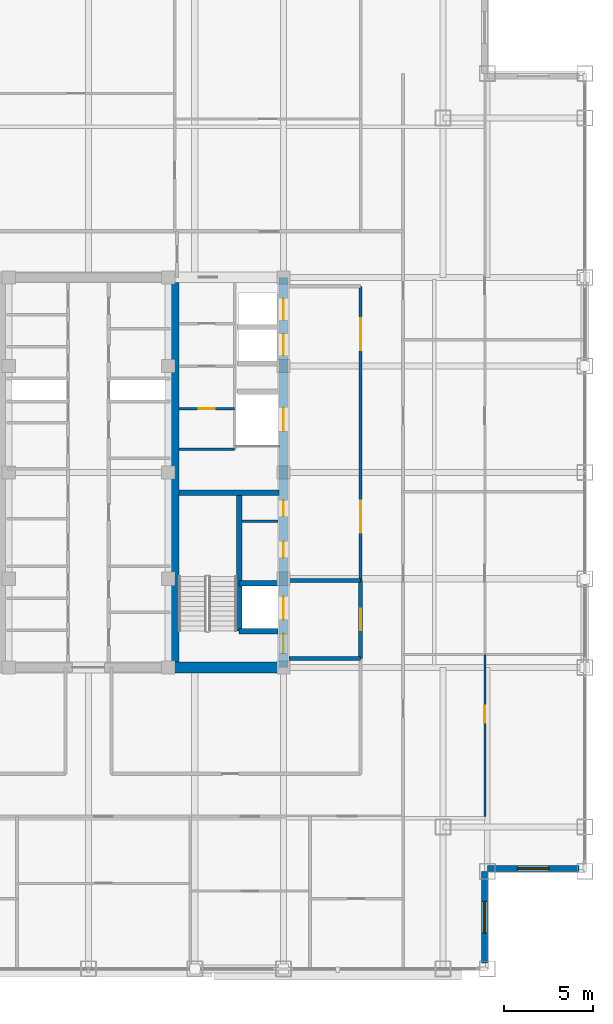
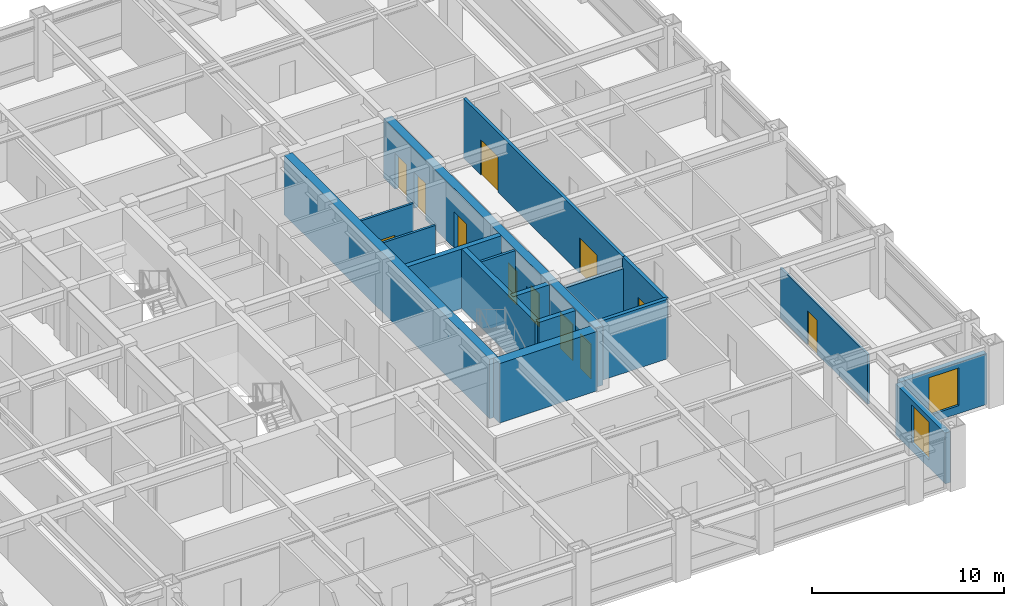
# One storey, part 20 of 27: 17 walls, 12 doors, 2 windows, 14 openings.
"""IFC4 building model written with IfcOpenShell, lengths in metres."""

from ifc_helpers import new_model, si_unit, direction, frame, frame_2d, origin, place, context, subcontext, project, spatial, rectangle, extrude, source, transform, mapped, material, layer, layer_set, type_object, element, fill, save


model = new_model("IFC4")

# Units and contexts
model_context = context("Model", 3, precision=1e-05, world=origin(), true_north=direction((0.0, 1.0)))
body_context = subcontext(model_context, "Body", "Model", "MODEL_VIEW")
ifc_project = project(units=[si_unit("LENGTHUNIT", "METRE"), si_unit("AREAUNIT", "SQUARE_METRE"), si_unit("VOLUMEUNIT", "CUBIC_METRE"), si_unit("PLANEANGLEUNIT", "RADIAN"), si_unit("MASSUNIT", "GRAM", prefix="KILO")], contexts=[model_context])

# Site, building, storey
site_placement = place(None, origin())
site = spatial("IfcSite", under=ifc_project, at=site_placement, CompositionType="ELEMENT")
building_placement = place(site_placement, origin())
building = spatial("IfcBuilding", under=site, at=building_placement, Name="Khorayat Bourse Tower", CompositionType="ELEMENT")
storey_placement = place(building_placement, frame((0.0, 0.0, 285.5)))
storey = spatial("IfcBuildingStorey", under=building, at=storey_placement, Name="L67", CompositionType="ELEMENT", Elevation=285.5)

# Wall, openings, doors
ifc_material_1 = material(Name="Concrete C52/65", Category="concrete")
ifc_layer_1 = layer(ifc_material_1, 0.5)
ifc_layer_set_1 = layer_set([ifc_layer_1], Name="Concrete C52/65")
wall_type_1 = type_object("IfcWallType", Name="WAL-CORE-500", PredefinedType="SHEAR", material=ifc_layer_set_1)
shared_shape_1 = source(origin(), body_context, "Body", "SweptSolid", [
    extrude(rectangle(XDim=22.0, YDim=0.5, at=frame_2d((11.0, 0.0))), origin(), (0.0, 0.0, 1.0), 3.780029296875),
])
wall_1_placement = place(storey_placement, frame((11.0, -11.0, 0.0), z_axis=(0.0, 0.0, 1.0), x_axis=(0.0, 1.0, 0.0)))
wall_1 = element("IfcWall", 1, at=wall_1_placement, inside=storey, type_object=wall_type_1, Name="L67 Core Shear Wall CORE-E", PredefinedType="SHEAR", context=body_context, shape_type="MappedRepresentation", body=[
    mapped(shared_shape_1, transform((0.0, 0.0, 0.0), scale=1.0)),
])
shared_shape_2 = source(origin(), body_context, "Body", "SweptSolid", [
    extrude(rectangle(XDim=1.10009765625, YDim=2.199951171875, at=frame_2d((0.550048828125, 1.10009765625))), frame((0.0, 0.260009765625, 0.0), z_axis=(0.0, -1.0, 0.0), x_axis=(1.0, 0.0, 0.0)), (0.0, 0.0, 1.0), 0.52001953125),
])
opening_1_placement = place(wall_1_placement, frame((0.800048828125, 0.0, 0.0)))
opening_1 = element("IfcOpeningElement", 2, at=opening_1_placement, cuts=wall_1, Name="Opening DI-01", PredefinedType="OPENING", context=body_context, shape_type="MappedRepresentation", body=[
    mapped(shared_shape_2, transform((0.0, 0.0, 0.0), scale=1.0)),
])
shared_shape_3 = source(origin(), body_context, "Body", "SweptSolid", [
    extrude(rectangle(XDim=0.89990234375, YDim=2.14990234375, at=frame_2d((0.449951171875, 1.074951171875))), frame((0.0, 0.260009765625, 0.0), z_axis=(0.0, -1.0, 0.0), x_axis=(1.0, 0.0, 0.0)), (0.0, 0.0, 1.0), 0.52001953125),
])
opening_2_placement = place(wall_1_placement, frame((6.199951171875, 0.0, 0.0)))
opening_2 = element("IfcOpeningElement", 3, at=opening_2_placement, cuts=wall_1, Name="Opening DI-06", PredefinedType="OPENING", context=body_context, shape_type="MappedRepresentation", body=[
    mapped(shared_shape_3, transform((0.0, 0.0, 0.0), scale=1.0)),
])
opening_3_placement = place(wall_1_placement, frame((8.52490234375, 0.0, 0.0)))
opening_3 = element("IfcOpeningElement", 4, at=opening_3_placement, cuts=wall_1, Name="Opening DI-06", PredefinedType="OPENING", context=body_context, shape_type="MappedRepresentation", body=[
    mapped(shared_shape_3, transform((0.0, 0.0, 0.0), scale=1.0)),
])
shared_shape_4 = source(origin(), body_context, "Body", "SweptSolid", [
    extrude(rectangle(XDim=1.199951171875, YDim=2.300048828125, at=frame_2d((0.60009765625, 1.14990234375))), frame((0.0, 0.260009765625, 0.0), z_axis=(0.0, -1.0, 0.0), x_axis=(1.0, 0.0, 0.0)), (0.0, 0.0, 1.0), 0.52001953125),
])
opening_4_placement = place(wall_1_placement, frame((17.60009765625, 0.0, 0.0)))
opening_4 = element("IfcOpeningElement", 5, at=opening_4_placement, cuts=wall_1, Name="Opening LD-01", PredefinedType="OPENING", context=body_context, shape_type="MappedRepresentation", body=[
    mapped(shared_shape_4, transform((0.0, 0.0, 0.0), scale=1.0)),
])
opening_5_placement = place(wall_1_placement, frame((19.60009765625, 0.0, 0.0)))
opening_5 = element("IfcOpeningElement", 6, at=opening_5_placement, cuts=wall_1, Name="Opening LD-01", PredefinedType="OPENING", context=body_context, shape_type="MappedRepresentation", body=[
    mapped(shared_shape_4, transform((0.0, 0.0, 0.0), scale=1.0)),
])
shared_shape_5 = source(origin(), body_context, "Body", "SweptSolid", [
    extrude(rectangle(XDim=1.300048828125, YDim=2.300048828125, at=frame_2d((0.64990234375, 1.14990234375))), frame((0.0, 0.260009765625, 0.0), z_axis=(0.0, -1.0, 0.0), x_axis=(1.0, 0.0, 0.0)), (0.0, 0.0, 1.0), 0.52001953125),
])
opening_6_placement = place(wall_1_placement, frame((2.699951171875, 0.0, 0.0)))
opening_6 = element("IfcOpeningElement", 7, at=opening_6_placement, cuts=wall_1, Name="Opening LD-02", PredefinedType="OPENING", context=body_context, shape_type="MappedRepresentation", body=[
    mapped(shared_shape_5, transform((0.0, 0.0, 0.0), scale=1.0)),
])
opening_7_placement = place(wall_1_placement, frame((13.35009765625, 0.0, 0.0)))
opening_7 = element("IfcOpeningElement", 8, at=opening_7_placement, cuts=wall_1, Name="Opening LD-02", PredefinedType="OPENING", context=body_context, shape_type="MappedRepresentation", body=[
    mapped(shared_shape_5, transform((0.0, 0.0, 0.0), scale=1.0)),
])
ifc_material_2 = material(Name="Fire-rated steel acoustic leaf", Category="steel")
door_type_1 = type_object("IfcDoorType", Name="DR-INT-STAIR-1100", OperationType="NOTDEFINED", PredefinedType="DOOR", material=ifc_material_2)
shared_shape_6 = source(origin(), body_context, "Body", "SweptSolid", [
    extrude(rectangle(XDim=1.10009765625, YDim=2.199951171875, at=frame_2d((0.550048828125, 1.10009765625))), frame((0.0, 0.02490234375, 0.0), z_axis=(0.0, -1.0, 0.0), x_axis=(1.0, 0.0, 0.0)), (0.0, 0.0, 1.0), 0.050048828125),
])
door_1_placement = place(opening_1_placement, origin())
door_1 = element("IfcDoor", 9, at=door_1_placement, inside=storey, type_object=door_type_1, Name="L67 Exit Stair 3 Door", OperationType="SINGLE_SWING_LEFT", OverallHeight=2.199951171875, OverallWidth=1.10009765625, PredefinedType="DOOR", context=body_context, shape_type="MappedRepresentation", body=[
    mapped(shared_shape_6, transform((0.0, 0.0, 0.0), scale=1.0)),
])
fill(opening_1, door_1)
ifc_material_3 = material(Name="Moisture-resistant laminate washroom door")
door_type_2 = type_object("IfcDoorType", Name="DR-INT-WC-900", OperationType="NOTDEFINED", PredefinedType="DOOR", material=ifc_material_3)
shared_shape_7 = source(origin(), body_context, "Body", "SweptSolid", [
    extrude(rectangle(XDim=0.89990234375, YDim=2.14990234375, at=frame_2d((0.449951171875, 1.074951171875))), frame((0.0, 0.02490234375, 0.0), z_axis=(0.0, -1.0, 0.0), x_axis=(1.0, 0.0, 0.0)), (0.0, 0.0, 1.0), 0.050048828125),
])
door_2_placement = place(opening_2_placement, origin())
door_2 = element("IfcDoor", 10, at=door_2_placement, inside=storey, type_object=door_type_2, Name="L67 Telecom Closet Door", OperationType="SINGLE_SWING_LEFT", OverallHeight=2.14990234375, OverallWidth=0.89990234375, PredefinedType="DOOR", context=body_context, shape_type="MappedRepresentation", body=[
    mapped(shared_shape_7, transform((0.0, 0.0, 0.0), scale=1.0)),
])
fill(opening_2, door_2)
door_3_placement = place(opening_3_placement, origin())
door_3 = element("IfcDoor", 11, at=door_3_placement, inside=storey, type_object=door_type_2, Name="L67 Stationery Store Door", OperationType="SINGLE_SWING_RIGHT", OverallHeight=2.14990234375, OverallWidth=0.89990234375, PredefinedType="DOOR", context=body_context, shape_type="MappedRepresentation", body=[
    mapped(shared_shape_7, transform((0.0, 0.0, 0.0), scale=1.0)),
])
fill(opening_3, door_3)
ifc_material_4 = material(Name="Brushed bronze stainless-steel sliding door", Category="steel")
door_type_3 = type_object("IfcDoorType", Name="DR-LIFT-PASS-1200", OperationType="NOTDEFINED", PredefinedType="DOOR", material=ifc_material_4)
shared_shape_8 = source(origin(), body_context, "Body", "SweptSolid", [
    extrude(rectangle(XDim=1.199951171875, YDim=2.300048828125, at=frame_2d((0.60009765625, 1.14990234375))), frame((0.0, 0.02490234375, 0.0), z_axis=(0.0, -1.0, 0.0), x_axis=(1.0, 0.0, 0.0)), (0.0, 0.0, 1.0), 0.050048828125),
])
door_4_placement = place(opening_4_placement, origin())
door_4 = element("IfcDoor", 12, at=door_4_placement, inside=storey, type_object=door_type_3, Name="L67 Lift PL-H3 Sliding Landing Door", OperationType="SLIDING_TO_LEFT", OverallHeight=2.300048828125, OverallWidth=1.199951171875, PredefinedType="DOOR", context=body_context, shape_type="MappedRepresentation", body=[
    mapped(shared_shape_8, transform((0.0, 0.0, 0.0), scale=1.0)),
])
fill(opening_4, door_4)
door_5_placement = place(opening_5_placement, origin())
door_5 = element("IfcDoor", 13, at=door_5_placement, inside=storey, type_object=door_type_3, Name="L67 Lift PL-H4 Sliding Landing Door", OperationType="SLIDING_TO_LEFT", OverallHeight=2.300048828125, OverallWidth=1.199951171875, PredefinedType="DOOR", context=body_context, shape_type="MappedRepresentation", body=[
    mapped(shared_shape_8, transform((0.0, 0.0, 0.0), scale=1.0)),
])
fill(opening_5, door_5)
ifc_material_5 = material(Name="Fire-rated stainless-steel sliding landing door", Category="steel")
door_type_4 = type_object("IfcDoorType", Name="DR-LIFT-FF-1300", OperationType="NOTDEFINED", PredefinedType="DOOR", material=ifc_material_5)
shared_shape_9 = source(origin(), body_context, "Body", "SweptSolid", [
    extrude(rectangle(XDim=1.300048828125, YDim=2.300048828125, at=frame_2d((0.64990234375, 1.14990234375))), frame((0.0, 0.02490234375, 0.0), z_axis=(0.0, -1.0, 0.0), x_axis=(1.0, 0.0, 0.0)), (0.0, 0.0, 1.0), 0.050048828125),
])
door_6_placement = place(opening_6_placement, origin())
door_6 = element("IfcDoor", 14, at=door_6_placement, inside=storey, type_object=door_type_4, Name="L67 Lift FFL-02 Sliding Landing Door", OperationType="SLIDING_TO_LEFT", OverallHeight=2.300048828125, OverallWidth=1.300048828125, PredefinedType="DOOR", context=body_context, shape_type="MappedRepresentation", body=[
    mapped(shared_shape_9, transform((0.0, 0.0, 0.0), scale=1.0)),
])
fill(opening_6, door_6)
door_7_placement = place(opening_7_placement, origin())
door_7 = element("IfcDoor", 15, at=door_7_placement, inside=storey, type_object=door_type_4, Name="L67 Lift SVL-01 Sliding Landing Door", OperationType="SLIDING_TO_LEFT", OverallHeight=2.300048828125, OverallWidth=1.300048828125, PredefinedType="DOOR", context=body_context, shape_type="MappedRepresentation", body=[
    mapped(shared_shape_9, transform((0.0, 0.0, 0.0), scale=1.0)),
])
fill(opening_7, door_7)

# Walls
shared_shape_10 = source(origin(), body_context, "Body", "SweptSolid", [
    extrude(rectangle(XDim=21.39990234375, YDim=0.5, at=frame_2d((10.699951171875, 0.0))), origin(), (0.0, 0.0, 1.0), 3.780029296875),
])
wall_2_placement = place(storey_placement, frame((4.85009765625, -10.699951171875, 0.0), z_axis=(0.0, 0.0, 1.0), x_axis=(0.0, 1.0, 0.0)))
element("IfcWall", 16, at=wall_2_placement, inside=storey, type_object=wall_type_1, Name="L67 Core Shear Wall PIER-E", PredefinedType="SHEAR", context=body_context, shape_type="MappedRepresentation", body=[
    mapped(shared_shape_10, transform((0.0, 0.0, 0.0), scale=1.0)),
])
ifc_material_6 = material(Name="Concrete C60/75", Category="concrete")
ifc_layer_2 = layer(ifc_material_6, 0.60009765625)
ifc_layer_set_2 = layer_set([ifc_layer_2], Name="Concrete C60/75")
wall_type_2 = type_object("IfcWallType", Name="WAL-CORE-600", PredefinedType="SHEAR", material=ifc_layer_set_2)
shared_shape_11 = source(origin(), body_context, "Body", "SweptSolid", [
    extrude(rectangle(XDim=5.89990234375, YDim=0.60009765625, at=frame_2d((2.949951171875, 0.0))), origin(), (0.0, 0.0, 1.0), 3.780029296875),
])
wall_3_placement = place(storey_placement, frame((4.85009765625, -11.0, 0.0), z_axis=(0.0, 0.0, 1.0), x_axis=(1.0, 0.0, 0.0)))
element("IfcWall", 17, at=wall_3_placement, inside=storey, type_object=wall_type_2, Name="L67 Core Shear Wall PIER-ES", PredefinedType="SHEAR", context=body_context, shape_type="MappedRepresentation", body=[
    mapped(shared_shape_11, transform((0.0, 0.0, 0.0), scale=1.0)),
])
ifc_material_7 = material(Name="Concrete C50/60", Category="concrete")
ifc_layer_3 = layer(ifc_material_7, 0.300048828125)
ifc_layer_set_3 = layer_set([ifc_layer_3], Name="Concrete C50/60")
wall_type_3 = type_object("IfcWallType", Name="WAL-SHAFT-300", PredefinedType="SHEAR", material=ifc_layer_set_3)
shared_shape_12 = source(origin(), body_context, "Body", "SweptSolid", [
    extrude(rectangle(XDim=5.64990234375, YDim=0.300048828125, at=frame_2d((2.824951171875, 0.0))), origin(), (0.0, 0.0, 1.0), 3.780029296875),
])
wall_4_placement = place(storey_placement, frame((5.10009765625, -1.14990234375, 0.0), z_axis=(0.0, 0.0, 1.0), x_axis=(1.0, 0.0, 0.0)))
element("IfcWall", 18, at=wall_4_placement, inside=storey, type_object=wall_type_3, Name="L67 Core Shear Wall ST3-DIV", PredefinedType="SHEAR", context=body_context, shape_type="MappedRepresentation", body=[
    mapped(shared_shape_12, transform((0.0, 0.0, 0.0), scale=1.0)),
])

# Wall, opening, window
ifc_material_8 = material(Name="Precast concrete C45/55", Category="concrete")
ifc_layer_4 = layer(ifc_material_8, 0.320068359375)
ifc_layer_set_4 = layer_set([ifc_layer_4], Name="Precast concrete C45/55")
wall_type_4 = type_object("IfcWallType", Name="WAL-EXT-STONE-320", PredefinedType="STANDARD", material=ifc_layer_set_4)
shared_shape_13 = source(origin(), body_context, "Body", "SweptSolid", [
    extrude(rectangle(XDim=5.179931640625, YDim=0.320068359375, at=frame_2d((2.58984375, 0.0))), origin(), (0.0, 0.0, 1.0), 3.23095703125),
])
wall_5_placement = place(storey_placement, frame((22.340087890625, -27.679931640625, 0.0), z_axis=(0.0, 0.0, 1.0), x_axis=(0.0, 1.0, 0.0)))
wall_5 = element("IfcWall", 19, at=wall_5_placement, inside=storey, type_object=wall_type_4, Name="L67 Re-Entrant Notch Limestone Wall SE-V", PredefinedType="STANDARD", context=body_context, shape_type="MappedRepresentation", body=[
    mapped(shared_shape_13, transform((0.0, 0.0, 0.0), scale=1.0)),
])
shared_shape_14 = source(origin(), body_context, "Body", "SweptSolid", [
    extrude(rectangle(XDim=1.800048828125, YDim=2.39990234375, at=frame_2d((0.89990234375, 1.199951171875))), frame((0.0, 0.169921875, 0.0), z_axis=(0.0, -1.0, 0.0), x_axis=(1.0, 0.0, 0.0)), (0.0, 0.0, 1.0), 0.340087890625),
])
opening_8_placement = place(wall_5_placement, frame((1.68994140625, 0.0, 0.5)))
opening_8 = element("IfcOpeningElement", 20, at=opening_8_placement, cuts=wall_5, Name="Opening WN-04", PredefinedType="OPENING", context=body_context, shape_type="MappedRepresentation", body=[
    mapped(shared_shape_14, transform((0.0, 0.0, 0.0), scale=1.0)),
])
ifc_material_9 = material(Name="Low-E acoustic laminated double glazing", Category="glass")
window_type = type_object("IfcWindowType", Name="WIN-NOTCH-1800x2400", PartitioningType="SINGLE_PANEL", PredefinedType="WINDOW", material=ifc_material_9)
shared_shape_15 = source(origin(), body_context, "Body", "SweptSolid", [
    extrude(rectangle(XDim=1.800048828125, YDim=2.39990234375, at=frame_2d((0.89990234375, 1.199951171875))), frame((0.0, 0.030029296875, 0.0), z_axis=(0.0, -1.0, 0.0), x_axis=(1.0, 0.0, 0.0)), (0.0, 0.0, 1.0), 0.06005859375),
])
window_1_placement = place(opening_8_placement, origin())
window_1 = element("IfcWindow", 21, at=window_1_placement, inside=storey, type_object=window_type, Name="L67 Facade Window 1", OverallHeight=2.39990234375, OverallWidth=1.800048828125, PartitioningType="SINGLE_PANEL", PredefinedType="WINDOW", context=body_context, shape_type="MappedRepresentation", body=[
    mapped(shared_shape_15, transform((0.0, 0.0, 0.0), scale=1.0)),
])
fill(opening_8, window_1)

wall_6_placement = place(storey_placement, frame((22.5, -22.340087890625, 0.0), z_axis=(0.0, 0.0, 1.0), x_axis=(1.0, 0.0, 0.0)))
wall_6 = element("IfcWall", 22, at=wall_6_placement, inside=storey, type_object=wall_type_4, Name="L67 Re-Entrant Notch Limestone Wall SE-H", PredefinedType="STANDARD", context=body_context, shape_type="MappedRepresentation", body=[
    mapped(shared_shape_13, transform((0.0, 0.0, 0.0), scale=1.0)),
])
opening_9_placement = place(wall_6_placement, frame((1.68994140625, 0.0, 0.5)))
opening_9 = element("IfcOpeningElement", 23, at=opening_9_placement, cuts=wall_6, Name="Opening WN-04", PredefinedType="OPENING", context=body_context, shape_type="MappedRepresentation", body=[
    mapped(shared_shape_14, transform((0.0, 0.0, 0.0), scale=1.0)),
])
window_2_placement = place(opening_9_placement, origin())
window_2 = element("IfcWindow", 24, at=window_2_placement, inside=storey, type_object=window_type, Name="L67 Facade Window 1", OverallHeight=2.39990234375, OverallWidth=1.800048828125, PartitioningType="SINGLE_PANEL", PredefinedType="WINDOW", context=body_context, shape_type="MappedRepresentation", body=[
    mapped(shared_shape_15, transform((0.0, 0.0, 0.0), scale=1.0)),
])
fill(opening_9, window_2)

# Walls
ifc_material_10 = material(Name="Aerated concrete blockwork", Category="masonry")
ifc_layer_5 = layer(ifc_material_10, 0.219970703125)
ifc_layer_set_5 = layer_set([ifc_layer_5], Name="Aerated concrete blockwork")
wall_type_5 = type_object("IfcWallType", Name="WAL-PART-FF-220", PredefinedType="PARTITIONING", material=ifc_layer_set_5)
shared_shape_16 = source(origin(), body_context, "Body", "SweptSolid", [
    extrude(rectangle(XDim=4.050048828125, YDim=0.219970703125, at=frame_2d((2.02490234375, 0.0))), origin(), (0.0, 0.0, 1.0), 3.0849609375),
])
wall_7_placement = place(storey_placement, frame((11.300048828125, -6.10009765625, 0.0), z_axis=(0.0, 0.0, 1.0), x_axis=(1.0, 0.0, 0.0)))
element("IfcWall", 25, at=wall_7_placement, inside=storey, type_object=wall_type_5, Name="L67 Partition WAL-L67-FFLE-N", PredefinedType="PARTITIONING", context=body_context, shape_type="MappedRepresentation", body=[
    mapped(shared_shape_16, transform((0.0, 0.0, 0.0), scale=1.0)),
])
shared_shape_17 = source(origin(), body_context, "Body", "SweptSolid", [
    extrude(rectangle(XDim=7.800048828125, YDim=0.300048828125, at=frame_2d((3.89990234375, 0.0))), origin(), (0.0, 0.0, 1.0), 3.780029296875),
])
wall_8_placement = place(storey_placement, frame((8.5, -8.949951171875, 0.0), z_axis=(0.0, 0.0, 1.0), x_axis=(0.0, 1.0, 0.0)))
element("IfcWall", 26, at=wall_8_placement, inside=storey, type_object=wall_type_3, Name="L67 Partition WAL-L67-EPIER-SP", PredefinedType="SHEAR", context=body_context, shape_type="MappedRepresentation", body=[
    mapped(shared_shape_17, transform((0.0, 0.0, 0.0), scale=1.0)),
])
shared_shape_18 = source(origin(), body_context, "Body", "SweptSolid", [
    extrude(rectangle(XDim=2.199951171875, YDim=0.300048828125, at=frame_2d((1.10009765625, 0.0))), origin(), (0.0, 0.0, 1.0), 3.780029296875),
])
for number, where, z_axis, x_axis, name in (
    (27, (8.5, -8.949951171875, 0.0), (0.0, 0.0, 1.0), (1.0, 0.0, 0.0), "L67 Partition WAL-L67-EPIER-FF2S"),
    (28, (8.5, -6.25, 0.0), (0.0, 0.0, 1.0), (1.0, 0.0, 0.0), "L67 Partition WAL-L67-EPIER-FF2N"),
):
    element("IfcWall", number, at=place(storey_placement, frame(where, z_axis=z_axis, x_axis=x_axis)), inside=storey, type_object=wall_type_3, Name=name, PredefinedType="SHEAR", context=body_context, shape_type="MappedRepresentation", body=[
        mapped(shared_shape_18, transform((0.0, 0.0, 0.0), scale=1.0)),
    ])
ifc_material_11 = material(Name="Gypsum plasterboard twin-frame partition")
ifc_layer_6 = layer(ifc_material_11, 0.14990234375)
ifc_layer_set_6 = layer_set([ifc_layer_6], Name="Gypsum plasterboard twin-frame partition")
wall_type_6 = type_object("IfcWallType", Name="WAL-PART-SUITE-150", PredefinedType="PARTITIONING", material=ifc_layer_set_6)
shared_shape_19 = source(origin(), body_context, "Body", "SweptSolid", [
    extrude(rectangle(XDim=2.050048828125, YDim=0.14990234375, at=frame_2d((1.02490234375, 0.0))), origin(), (0.0, 0.0, 1.0), 3.780029296875),
])
wall_9_placement = place(storey_placement, frame((8.64990234375, -2.75, 0.0), z_axis=(0.0, 0.0, 1.0), x_axis=(1.0, 0.0, 0.0)))
element("IfcWall", 29, at=wall_9_placement, inside=storey, type_object=wall_type_6, Name="L67 Partition WAL-L67-ESRV-D1", PredefinedType="PARTITIONING", context=body_context, shape_type="MappedRepresentation", body=[
    mapped(shared_shape_19, transform((0.0, 0.0, 0.0), scale=1.0)),
])
ifc_material_12 = material(Name="Moisture-resistant masonry partition", Category="masonry")
ifc_layer_7 = layer(ifc_material_12, 0.139892578125)
ifc_layer_set_7 = layer_set([ifc_layer_7], Name="Moisture-resistant masonry partition")
wall_type_7 = type_object("IfcWallType", Name="WAL-PART-WET-140", PredefinedType="PARTITIONING", material=ifc_layer_set_7)
shared_shape_20 = source(origin(), body_context, "Body", "SweptSolid", [
    extrude(rectangle(XDim=3.14990234375, YDim=0.139892578125, at=frame_2d((1.574951171875, 0.0))), origin(), (0.0, 0.0, 1.0), 3.780029296875),
])
wall_10_placement = place(storey_placement, frame((5.10009765625, 1.300048828125, 0.0), z_axis=(0.0, 0.0, 1.0), x_axis=(1.0, 0.0, 0.0)))
element("IfcWall", 30, at=wall_10_placement, inside=storey, type_object=wall_type_7, Name="L67 Partition WAL-L67-ECORE-S", PredefinedType="PARTITIONING", context=body_context, shape_type="MappedRepresentation", body=[
    mapped(shared_shape_20, transform((0.0, 0.0, 0.0), scale=1.0)),
])

# Wall, opening, door
wall_11_placement = place(storey_placement, frame((5.10009765625, 3.60009765625, 0.0), z_axis=(0.0, 0.0, 1.0), x_axis=(1.0, 0.0, 0.0)))
wall_11 = element("IfcWall", 31, at=wall_11_placement, inside=storey, type_object=wall_type_7, Name="L67 Partition WAL-L67-ECW-H2", PredefinedType="PARTITIONING", context=body_context, shape_type="MappedRepresentation", body=[
    mapped(shared_shape_20, transform((0.0, 0.0, 0.0), scale=1.0)),
])
shared_shape_21 = source(origin(), body_context, "Body", "SweptSolid", [
    extrude(rectangle(XDim=0.89990234375, YDim=2.14990234375, at=frame_2d((0.449951171875, 1.074951171875))), frame((0.0, 0.079833984375, 0.0), z_axis=(0.0, -1.0, 0.0), x_axis=(1.0, 0.0, 0.0)), (0.0, 0.0, 1.0), 0.159912109375),
])
opening_10_placement = place(wall_11_placement, frame((1.1298828125, 0.0, 0.0)))
opening_10 = element("IfcOpeningElement", 32, at=opening_10_placement, cuts=wall_11, Name="Opening DI-06", PredefinedType="OPENING", context=body_context, shape_type="MappedRepresentation", body=[
    mapped(shared_shape_21, transform((0.0, 0.0, 0.0), scale=1.0)),
])
door_8_placement = place(opening_10_placement, origin())
door_8 = element("IfcDoor", 33, at=door_8_placement, inside=storey, type_object=door_type_2, Name="L67 Staff Washroom Door", OperationType="SINGLE_SWING_LEFT", OverallHeight=2.14990234375, OverallWidth=0.89990234375, PredefinedType="DOOR", context=body_context, shape_type="MappedRepresentation", body=[
    mapped(shared_shape_7, transform((0.0, 0.0, 0.0), scale=1.0)),
])
fill(opening_10, door_8)

# Wall
shared_shape_22 = source(origin(), body_context, "Body", "SweptSolid", [
    extrude(rectangle(XDim=4.050048828125, YDim=0.219970703125, at=frame_2d((2.02490234375, 0.0))), origin(), (0.0, 0.0, 1.0), 3.780029296875),
])
wall_12_placement = place(storey_placement, frame((11.300048828125, -10.5, 0.0), z_axis=(0.0, 0.0, 1.0), x_axis=(1.0, 0.0, 0.0)))
element("IfcWall", 34, at=wall_12_placement, inside=storey, type_object=wall_type_5, Name="L67 Partition WAL-L67-FFLE-S", PredefinedType="PARTITIONING", context=body_context, shape_type="MappedRepresentation", body=[
    mapped(shared_shape_22, transform((0.0, 0.0, 0.0), scale=1.0)),
])

# Wall, opening, door
shared_shape_23 = source(origin(), body_context, "Body", "SweptSolid", [
    extrude(rectangle(XDim=4.39990234375, YDim=0.219970703125, at=frame_2d((2.199951171875, 0.0))), origin(), (0.0, 0.0, 1.0), 3.780029296875),
])
wall_13_placement = place(storey_placement, frame((15.35009765625, -10.5, 0.0), z_axis=(0.0, 0.0, 1.0), x_axis=(0.0, 1.0, 0.0)))
wall_13 = element("IfcWall", 35, at=wall_13_placement, inside=storey, type_object=wall_type_5, Name="L67 Partition WAL-L67-FFLE-E", PredefinedType="PARTITIONING", context=body_context, shape_type="MappedRepresentation", body=[
    mapped(shared_shape_23, transform((0.0, 0.0, 0.0), scale=1.0)),
])
shared_shape_24 = source(origin(), body_context, "Body", "SweptSolid", [
    extrude(rectangle(XDim=1.199951171875, YDim=2.199951171875, at=frame_2d((0.60009765625, 1.10009765625))), frame((0.0, 0.119873046875, 0.0), z_axis=(0.0, -1.0, 0.0), x_axis=(1.0, 0.0, 0.0)), (0.0, 0.0, 1.0), 0.239990234375),
])
opening_11_placement = place(wall_13_placement, frame((1.60009765625, 0.0, 0.0)))
opening_11 = element("IfcOpeningElement", 36, at=opening_11_placement, cuts=wall_13, Name="Opening DI-02", PredefinedType="OPENING", context=body_context, shape_type="MappedRepresentation", body=[
    mapped(shared_shape_24, transform((0.0, 0.0, 0.0), scale=1.0)),
])
ifc_material_13 = material(Name="Fire-rated steel double-seal leaf", Category="steel")
door_type_5 = type_object("IfcDoorType", Name="DR-INT-FFLOBBY-1200", OperationType="NOTDEFINED", PredefinedType="DOOR", material=ifc_material_13)
shared_shape_25 = source(origin(), body_context, "Body", "SweptSolid", [
    extrude(rectangle(XDim=1.199951171875, YDim=2.199951171875, at=frame_2d((0.60009765625, 1.10009765625))), frame((0.0, 0.02490234375, 0.0), z_axis=(0.0, -1.0, 0.0), x_axis=(1.0, 0.0, 0.0)), (0.0, 0.0, 1.0), 0.050048828125),
])
door_9_placement = place(opening_11_placement, origin())
door_9 = element("IfcDoor", 37, at=door_9_placement, inside=storey, type_object=door_type_5, Name="L67 East Firefighting Lobby Door", OperationType="SINGLE_SWING_RIGHT", OverallHeight=2.199951171875, OverallWidth=1.199951171875, PredefinedType="DOOR", context=body_context, shape_type="MappedRepresentation", body=[
    mapped(shared_shape_25, transform((0.0, 0.0, 0.0), scale=1.0)),
])
fill(opening_11, door_9)

# Wall, openings, doors
ifc_material_14 = material(Name="Gypsum plasterboard acoustic stud wall")
ifc_layer_8 = layer(ifc_material_14, 0.179931640625)
ifc_layer_set_8 = layer_set([ifc_layer_8], Name="Gypsum plasterboard acoustic stud wall")
wall_type_8 = type_object("IfcWallType", Name="WAL-PART-CORR-180", PredefinedType="PARTITIONING", material=ifc_layer_set_8)
shared_shape_26 = source(origin(), body_context, "Body", "SweptSolid", [
    extrude(rectangle(XDim=16.60009765625, YDim=0.179931640625, at=frame_2d((8.300048828125, 0.0))), origin(), (0.0, 0.0, 1.0), 3.780029296875),
])
wall_14_placement = place(storey_placement, frame((15.35009765625, -6.10009765625, 0.0), z_axis=(0.0, 0.0, 1.0), x_axis=(0.0, 1.0, 0.0)))
wall_14 = element("IfcWall", 38, at=wall_14_placement, inside=storey, type_object=wall_type_8, Name="L67 Partition WAL-L67-ELOB-E", PredefinedType="PARTITIONING", context=body_context, shape_type="MappedRepresentation", body=[
    mapped(shared_shape_26, transform((0.0, 0.0, 0.0), scale=1.0)),
])
shared_shape_27 = source(origin(), body_context, "Body", "SweptSolid", [
    extrude(rectangle(XDim=1.800048828125, YDim=2.25, at=frame_2d((0.89990234375, 1.125))), frame((0.0, 0.099853515625, 0.0), z_axis=(0.0, -1.0, 0.0), x_axis=(1.0, 0.0, 0.0)), (0.0, 0.0, 1.0), 0.199951171875),
])
opening_12_placement = place(wall_14_placement, frame((2.699951171875, 0.0, 0.0)))
opening_12 = element("IfcOpeningElement", 39, at=opening_12_placement, cuts=wall_14, Name="Opening DI-03", PredefinedType="OPENING", context=body_context, shape_type="MappedRepresentation", body=[
    mapped(shared_shape_27, transform((0.0, 0.0, 0.0), scale=1.0)),
])
opening_13_placement = place(wall_14_placement, frame((13.0, 0.0, 0.0)))
opening_13 = element("IfcOpeningElement", 40, at=opening_13_placement, cuts=wall_14, Name="Opening DI-03", PredefinedType="OPENING", context=body_context, shape_type="MappedRepresentation", body=[
    mapped(shared_shape_27, transform((0.0, 0.0, 0.0), scale=1.0)),
])
ifc_material_15 = material(Name="Fire-rated hardwood vision-panel double leaf", Category="wood")
door_type_6 = type_object("IfcDoorType", Name="DR-INT-CORR-1800", OperationType="NOTDEFINED", PredefinedType="DOOR", material=ifc_material_15)
shared_shape_28 = source(origin(), body_context, "Body", "SweptSolid", [
    extrude(rectangle(XDim=1.800048828125, YDim=2.25, at=frame_2d((0.89990234375, 1.125))), frame((0.0, 0.02490234375, 0.0), z_axis=(0.0, -1.0, 0.0), x_axis=(1.0, 0.0, 0.0)), (0.0, 0.0, 1.0), 0.050048828125),
])
door_10_placement = place(opening_12_placement, origin())
door_10 = element("IfcDoor", 41, at=door_10_placement, inside=storey, type_object=door_type_6, Name="L67 East Core Lobby South Door", OperationType="SINGLE_SWING_RIGHT", OverallHeight=2.25, OverallWidth=1.800048828125, PredefinedType="DOOR", context=body_context, shape_type="MappedRepresentation", body=[
    mapped(shared_shape_28, transform((0.0, 0.0, 0.0), scale=1.0)),
])
fill(opening_12, door_10)
door_11_placement = place(opening_13_placement, origin())
door_11 = element("IfcDoor", 42, at=door_11_placement, inside=storey, type_object=door_type_6, Name="L67 East Core Lobby North Door", OperationType="SINGLE_SWING_LEFT", OverallHeight=2.25, OverallWidth=1.800048828125, PredefinedType="DOOR", context=body_context, shape_type="MappedRepresentation", body=[
    mapped(shared_shape_28, transform((0.0, 0.0, 0.0), scale=1.0)),
])
fill(opening_13, door_11)

# Wall, opening, door
ifc_material_16 = material(Name="Gypsum plasterboard partition")
ifc_layer_9 = layer(ifc_material_16, 0.125)
ifc_layer_set_9 = layer_set([ifc_layer_9], Name="Gypsum plasterboard partition")
wall_type_9 = type_object("IfcWallType", Name="WAL-PART-ROOM-125", PredefinedType="PARTITIONING", material=ifc_layer_set_9)
shared_shape_29 = source(origin(), body_context, "Body", "SweptSolid", [
    extrude(rectangle(XDim=9.1318359375, YDim=0.125, at=frame_2d((4.56591796875, 0.0))), origin(), (0.0, 0.0, 1.0), 3.1640625),
])
wall_15_placement = place(storey_placement, frame((22.362548828125, -19.39990234375, 0.0), z_axis=(0.0, 0.0, 1.0), x_axis=(0.0, 1.0, 0.0)))
wall_15 = element("IfcWall", 43, at=wall_15_placement, inside=storey, type_object=wall_type_9, Name="L67 Partition WAL-L67-EDP-1", PredefinedType="PARTITIONING", context=body_context, shape_type="MappedRepresentation", body=[
    mapped(shared_shape_29, transform((0.0, 0.0, 0.0), scale=1.0)),
])
shared_shape_30 = source(origin(), body_context, "Body", "SweptSolid", [
    extrude(rectangle(XDim=0.949951171875, YDim=2.14990234375, at=frame_2d((0.47509765625, 1.074951171875))), frame((0.0, 0.072509765625, 0.0), z_axis=(0.0, -1.0, 0.0), x_axis=(1.0, 0.0, 0.0)), (0.0, 0.0, 1.0), 0.14501953125),
])
opening_14_placement = place(wall_15_placement, frame((5.291015625, 0.0, 0.0)))
opening_14 = element("IfcOpeningElement", 44, at=opening_14_placement, cuts=wall_15, Name="Opening DI-05", PredefinedType="OPENING", context=body_context, shape_type="MappedRepresentation", body=[
    mapped(shared_shape_30, transform((0.0, 0.0, 0.0), scale=1.0)),
])
ifc_material_17 = material(Name="Acoustic oak veneer office door")
door_type_7 = type_object("IfcDoorType", Name="DR-INT-OFFICE-950", OperationType="NOTDEFINED", PredefinedType="DOOR", material=ifc_material_17)
shared_shape_31 = source(origin(), body_context, "Body", "SweptSolid", [
    extrude(rectangle(XDim=0.949951171875, YDim=2.14990234375, at=frame_2d((0.47509765625, 1.074951171875))), frame((0.0, 0.02490234375, 0.0), z_axis=(0.0, -1.0, 0.0), x_axis=(1.0, 0.0, 0.0)), (0.0, 0.0, 1.0), 0.050048828125),
])
door_12_placement = place(opening_14_placement, origin())
door_12 = element("IfcDoor", 45, at=door_12_placement, inside=storey, type_object=door_type_7, Name="L67 Clearing Records Archive Store E1B Door", OperationType="SINGLE_SWING_RIGHT", OverallHeight=2.14990234375, OverallWidth=0.949951171875, PredefinedType="DOOR", context=body_context, shape_type="MappedRepresentation", body=[
    mapped(shared_shape_31, transform((0.0, 0.0, 0.0), scale=1.0)),
])
fill(opening_14, door_12)

save(model, "model.ifc")
